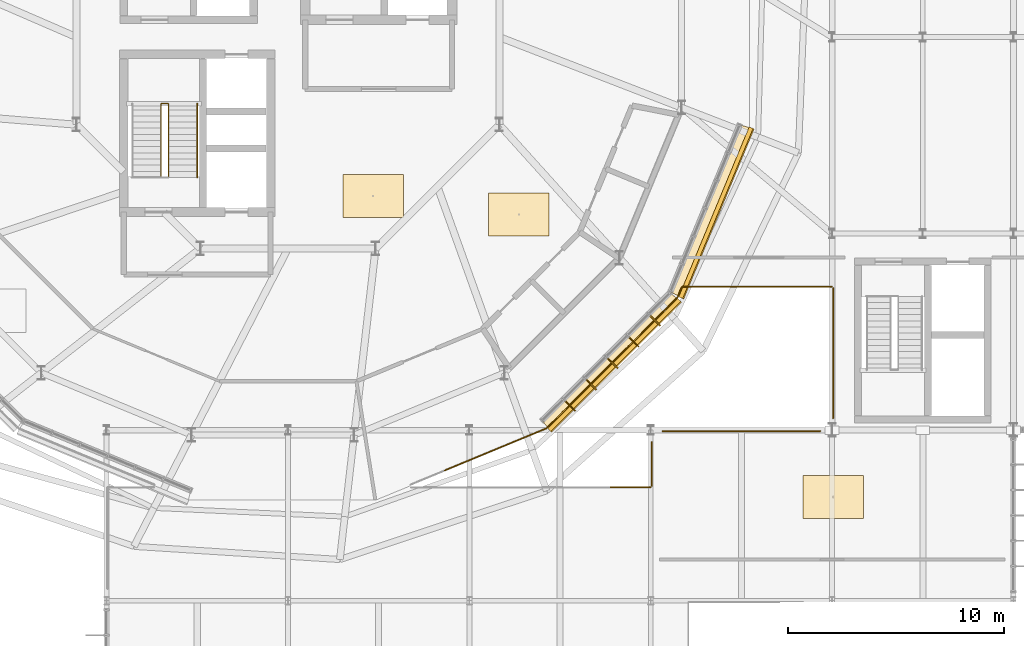
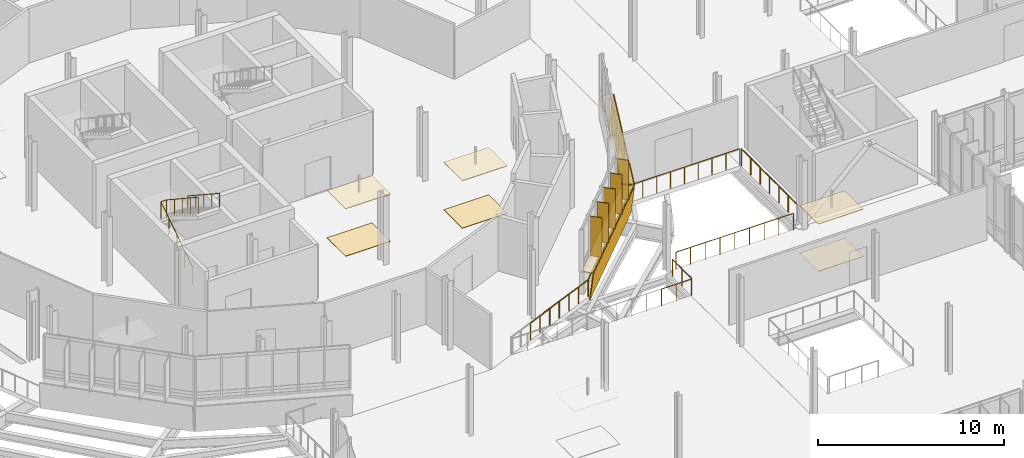
# One storey, part 128 of 139: 23 railings, 10 coverings, 5 shading devices.
"""IFC4 building model written with IfcOpenShell, lengths in metres."""

from ifc_helpers import new_model, si_unit, derived_unit, direction, frame, origin, origin_2d, place, context, subcontext, project, spatial, polyline, rectangle, circle, outline, extrude, material, layer, layer_set, type_object, element, save


model = new_model("IFC4")

# Units and contexts
model_context = context("Model", 3, precision=1e-05, world=origin(), true_north=direction((0.0, 1.0)))
body_context = subcontext(model_context, "Body", "Model", "MODEL_VIEW")
ifc_project = project(units=[si_unit("LENGTHUNIT", "METRE"), si_unit("AREAUNIT", "SQUARE_METRE"), si_unit("VOLUMEUNIT", "CUBIC_METRE"), si_unit("PLANEANGLEUNIT", "RADIAN"), si_unit("MASSUNIT", "GRAM", prefix="KILO"), derived_unit("THERMALTRANSMITTANCEUNIT", [(si_unit("MASSUNIT", "GRAM", prefix="KILO"), 1), (si_unit("TIMEUNIT", "SECOND"), -3), (si_unit("THERMODYNAMICTEMPERATUREUNIT", "KELVIN"), -1)])], contexts=[model_context])

# Site, building, storey
site_placement = place(None, origin())
site = spatial("IfcSite", under=ifc_project, at=site_placement, CompositionType="ELEMENT")
building_placement = place(site_placement, origin())
building = spatial("IfcBuilding", under=site, at=building_placement, Name="Makaiwela Harbour Ferry Terminal", CompositionType="ELEMENT")
storey_placement = place(building_placement, frame((0.0, 0.0, 5.10009765625)))
storey = spatial("IfcBuildingStorey", under=building, at=storey_placement, Name="L01", CompositionType="ELEMENT", Elevation=5.10009765625)

# Coverings
ifc_material_1 = material(Name="White glazed marine ceramic rainscreen tile", Category="masonry")
ifc_layer_1 = layer(ifc_material_1, 0.054931640625)
ifc_layer_set_1 = layer_set([ifc_layer_1], Name="White glazed marine ceramic rainscreen tile")
covering_type_1 = type_object("IfcCoveringType", Name="ENV-CLD-CERAMIC", PredefinedType="CLADDING", material=ifc_layer_set_1)
covering_1_placement = place(storey_placement, frame((49.8271484375, 49.475830078125, -0.260009765625), z_axis=(-0.702880182201, 0.702894418326, 0.10908201573), x_axis=(0.707114027149, 0.707099535149, 1.098092e-06)))
element("IfcCovering", 1, at=covering_1_placement, inside=storey, type_object=covering_type_1, Name="Ceramic Spandrel Facet CLD-0041", PredefinedType="CLADDING", context=body_context, shape_type="SweptSolid", body=[
    extrude(outline(polyline([(0.0, 0.0), (8.523433377176595, -5.551115123125783e-17), (8.523609966091568, -1.7907055194804298), (3.957192527270706e-06, -1.7907243510710693), (0.0, 0.0)])), origin(), (0.0, 0.0, -1.0), 0.054931640625),
])
covering_2_placement = place(storey_placement, frame((0.0, 0.0, 1.47998046875)))
element("IfcCovering", 2, at=covering_2_placement, inside=storey, type_object=covering_type_1, Name="Ceramic Ring Sill Cap CLD-0042", PredefinedType="CLADDING", context=body_context, shape_type="SweptSolid", body=[
    extrude(outline(polyline([(49.96533203125, 49.337646484375), (55.992431640625, 55.36474609375), (55.488525390625, 55.758544921875), (49.571533203125, 49.841552734375), (49.96533203125, 49.337646484375)])), origin(), (0.0, 0.0, 1.0), 0.054931640625),
])
covering_3_placement = place(storey_placement, frame((55.8974609375, 55.5673828125, -0.260009765625), z_axis=(-0.918369753727, 0.380394050746, 0.10907502737), x_axis=(0.382677226978, 0.923882102842, -5.94223e-07)))
element("IfcCovering", 3, at=covering_3_placement, inside=storey, type_object=covering_type_1, Name="Ceramic Spandrel Facet CLD-0043", PredefinedType="CLADDING", context=body_context, shape_type="SweptSolid", body=[
    extrude(outline(polyline([(0.0, 0.0), (8.523531489160245, 0.0), (8.523326980538148, -1.7907186490702989), (2.1048531915379753e-05, -1.7907084586446909), (0.0, 0.0)])), origin(), (0.0, 0.0, -1.0), 0.054931640625),
])
covering_4_placement = place(storey_placement, frame((0.0, 0.0, 1.47998046875)))
element("IfcCovering", 4, at=covering_4_placement, inside=storey, type_object=covering_type_1, Name="Ceramic Ring Sill Cap CLD-0044", PredefinedType="CLADDING", context=body_context, shape_type="SweptSolid", body=[
    extrude(outline(polyline([(56.077880859375, 55.49267578125), (59.339599609375, 63.3671875), (58.723388671875, 63.538330078125), (55.521240234375, 55.807373046875), (56.077880859375, 55.49267578125)])), origin(), (0.0, 0.0, 1.0), 0.054931640625),
])

# Shading devices
ifc_material_2 = material(Name="Marine anodised aluminium 6063-T6", Category="aluminium")
ifc_layer_2 = layer(ifc_material_2, 0.054931640625)
ifc_layer_set_2 = layer_set([ifc_layer_2], Name="Marine anodised aluminium 6063-T6")
shading_device_type = type_object("IfcShadingDeviceType", Name="ENV-FIN-650", PredefinedType="USERDEFINED", material=ifc_layer_set_2)
for number, where, z_axis, x_axis, name in (
    (5, (50.867431640625, 50.51806640625, 1.614990234375), (0.0, 0.0, 1.0), (0.707106781187, -0.707106781187, 0.0), "Vertical Solar Fin SFN-0036"),
    (6, (51.853515625, 51.504150390625, 1.614990234375), (0.0, 0.0, 1.0), (0.707106781187, -0.707106781187, 0.0), "Vertical Solar Fin SFN-0037"),
    (7, (52.839599609375, 52.490234375, 1.614990234375), (0.0, 0.0, 1.0), (0.707106781187, -0.707106781187, 0.0), "Vertical Solar Fin SFN-0038"),
    (8, (53.825927734375, 53.4765625, 1.614990234375), (0.0, 0.0, 1.0), (0.707106781187, -0.707106781187, 0.0), "Vertical Solar Fin SFN-0039"),
    (9, (54.81201171875, 54.462646484375, 1.614990234375), (0.0, 0.0, 1.0), (0.707106781187, -0.707106781187, 0.0), "Vertical Solar Fin SFN-0040"),
):
    element("IfcShadingDevice", number, at=place(storey_placement, frame(where, z_axis=z_axis, x_axis=x_axis)), inside=storey, type_object=shading_device_type, Name=name, ObjectType="SOLAR FIN", PredefinedType="USERDEFINED", context=body_context, shape_type="SweptSolid", body=[
        extrude(rectangle(XDim=0.64990234375, YDim=0.054931640625, at=origin_2d()), origin(), (0.0, 0.0, 1.0), 2.60009765625),
    ])

# Coverings
ifc_material_3 = material(Name="Thermally modified Accoya timber acoustic slat ceiling", Category="wood")
ifc_layer_3 = layer(ifc_material_3, 0.0400390625)
ifc_layer_set_3 = layer_set([ifc_layer_3], Name="Thermally modified Accoya timber acoustic slat ceiling")
covering_type_2 = type_object("IfcCoveringType", Name="INT-COV-CEIL", PredefinedType="CEILING", material=ifc_layer_set_3)
covering_5_placement = place(storey_placement, frame((0.0, 0.0, 3.099853515625)))
element("IfcCovering", 10, at=covering_5_placement, inside=storey, type_object=covering_type_2, Name="Acoustic Timber Ceiling CLG-027", PredefinedType="CEILING", context=body_context, shape_type="SweptSolid", body=[
    extrude(outline(polyline([(47.097900390625, 58.385498046875), (49.89794921875, 58.385498046875), (49.89794921875, 60.385498046875), (47.097900390625, 60.385498046875), (47.097900390625, 58.385498046875)])), origin(), (0.0, 0.0, 1.0), 0.0400390625),
])
covering_6_placement = place(storey_placement, frame((0.0, 0.0, 3.099853515625)))
element("IfcCovering", 11, at=covering_6_placement, inside=storey, type_object=covering_type_2, Name="Acoustic Timber Ceiling CLG-028", PredefinedType="CEILING", context=body_context, shape_type="SweptSolid", body=[
    extrude(outline(polyline([(40.34521484375, 59.247314453125), (43.145263671875, 59.247314453125), (43.145263671875, 61.247314453125), (40.34521484375, 61.247314453125), (40.34521484375, 59.247314453125)])), origin(), (0.0, 0.0, 1.0), 0.0400390625),
])
covering_7_placement = place(storey_placement, frame((0.0, 0.0, 3.099853515625)))
element("IfcCovering", 12, at=covering_7_placement, inside=storey, type_object=covering_type_2, Name="Acoustic Timber Ceiling CLG-035", PredefinedType="CEILING", context=body_context, shape_type="SweptSolid", body=[
    extrude(outline(polyline([(61.64990234375, 45.300048828125), (64.449951171875, 45.300048828125), (64.449951171875, 47.300048828125), (61.64990234375, 47.300048828125), (61.64990234375, 45.300048828125)])), origin(), (0.0, 0.0, 1.0), 0.0400390625),
])
ifc_material_4 = material(Name="Honed coral-aggregate epoxy terrazzo flooring", Category="concrete")
ifc_layer_4 = layer(ifc_material_4, 0.02490234375)
ifc_layer_set_4 = layer_set([ifc_layer_4], Name="Honed coral-aggregate epoxy terrazzo flooring")
covering_type_3 = type_object("IfcCoveringType", Name="INT-COV-FLR", PredefinedType="FLOORING", material=ifc_layer_set_4)
covering_8_placement = place(storey_placement, origin())
element("IfcCovering", 13, at=covering_8_placement, inside=storey, type_object=covering_type_3, Name="Terrazzo Flooring FLG-027", PredefinedType="FLOORING", context=body_context, shape_type="SweptSolid", body=[
    extrude(outline(polyline([(47.097900390625, 58.385498046875), (49.89794921875, 58.385498046875), (49.89794921875, 60.385498046875), (47.097900390625, 60.385498046875), (47.097900390625, 58.385498046875)])), origin(), (0.0, 0.0, 1.0), 0.02490234375),
])
covering_9_placement = place(storey_placement, origin())
element("IfcCovering", 14, at=covering_9_placement, inside=storey, type_object=covering_type_3, Name="Terrazzo Flooring FLG-028", PredefinedType="FLOORING", context=body_context, shape_type="SweptSolid", body=[
    extrude(outline(polyline([(40.34521484375, 59.247314453125), (43.145263671875, 59.247314453125), (43.145263671875, 61.247314453125), (40.34521484375, 61.247314453125), (40.34521484375, 59.247314453125)])), origin(), (0.0, 0.0, 1.0), 0.02490234375),
])
covering_10_placement = place(storey_placement, origin())
element("IfcCovering", 15, at=covering_10_placement, inside=storey, type_object=covering_type_3, Name="Terrazzo Flooring FLG-035", PredefinedType="FLOORING", context=body_context, shape_type="SweptSolid", body=[
    extrude(outline(polyline([(61.64990234375, 45.300048828125), (64.449951171875, 45.300048828125), (64.449951171875, 47.300048828125), (61.64990234375, 47.300048828125), (61.64990234375, 45.300048828125)])), origin(), (0.0, 0.0, 1.0), 0.02490234375),
])

# Railings
ifc_material_5 = material(Name="Marine grade 316L brushed stainless steel", Category="steel")
railing_type_1 = type_object("IfcRailingType", Name="INT-RL-GRD110", PredefinedType="GUARDRAIL", material=ifc_material_5)
railing_1_placement = place(storey_placement, frame((31.926025390625, 61.10009765625, 0.0)))
element("IfcRailing", 16, at=railing_1_placement, inside=storey, type_object=railing_type_1, Name="Stair well guardrail RL-0025", PredefinedType="GUARDRAIL", context=body_context, shape_type="SweptSolid", body=[
    extrude(circle(Radius=0.02392578125, at=origin_2d()), frame((0.0, 0.0, 1.09619140625), z_axis=(0.0, 0.835411317272, 0.549625264133), x_axis=(-1.0, 0.0, 0.0)), (0.0, 0.0, 1.0), 4.09375),
    extrude(circle(Radius=0.02392578125, at=origin_2d()), frame((0.0, 3.419921875, 3.34619140625), z_axis=(1.0, 0.0, 0.0), x_axis=(0.0, 1.0, 0.0)), (0.0, 0.0, 1.0), 0.340087890625),
    extrude(circle(Radius=0.02392578125, at=origin_2d()), frame((0.340087890625, 3.419921875, 3.34619140625), z_axis=(0.0, -0.835411317272, 0.549625264133), x_axis=(1.0, 0.0, 0.0)), (0.0, 0.0, 1.0), 4.09375),
    extrude(circle(Radius=0.02099609375, at=origin_2d()), origin(), (0.0, 0.0, 1.0), 1.072021484375),
    extrude(circle(Radius=0.02099609375, at=origin_2d()), frame((0.0, 0.85498046875, 0.5625)), (0.0, 0.0, 1.0), 1.072021484375),
    extrude(circle(Radius=0.02099609375, at=origin_2d()), frame((0.0, 1.7099609375, 1.125)), (0.0, 0.0, 1.0), 1.072021484375),
    extrude(circle(Radius=0.02099609375, at=origin_2d()), frame((0.0, 2.56494140625, 1.6875)), (0.0, 0.0, 1.0), 1.072021484375),
    extrude(circle(Radius=0.02099609375, at=origin_2d()), frame((0.0, 3.419921875, 2.25)), (0.0, 0.0, 1.0), 1.072021484375),
    extrude(circle(Radius=0.02099609375, at=origin_2d()), frame((0.340087890625, 3.419921875, 2.25)), (0.0, 0.0, 1.0), 1.072021484375),
    extrude(circle(Radius=0.02099609375, at=origin_2d()), frame((0.340087890625, 2.56494140625, 2.8125)), (0.0, 0.0, 1.0), 1.072021484375),
    extrude(circle(Radius=0.02099609375, at=origin_2d()), frame((0.340087890625, 1.7099609375, 3.375)), (0.0, 0.0, 1.0), 1.072021484375),
    extrude(circle(Radius=0.02099609375, at=origin_2d()), frame((0.340087890625, 0.85498046875, 3.9375)), (0.0, 0.0, 1.0), 1.072021484375),
    extrude(circle(Radius=0.02099609375, at=origin_2d()), frame((0.340087890625, 0.0, 4.5)), (0.0, 0.0, 1.0), 1.072021484375),
])
railing_2_placement = place(storey_placement, frame((49.77490234375, 49.484130859375, 0.0)))
element("IfcRailing", 17, at=railing_2_placement, inside=storey, type_object=railing_type_1, Name="Deck edge guardrail RL-0398", PredefinedType="GUARDRAIL", context=body_context, shape_type="SweptSolid", body=[
    extrude(circle(Radius=0.02392578125, at=origin_2d()), frame((0.0, 0.0, 1.09619140625), z_axis=(-0.923936398943, -0.382546115792, 0.0), x_axis=(0.382546115792, -0.923936398943, 0.0)), (0.0, 0.0, 1.0), 1.701416015625),
    extrude(circle(Radius=0.02099609375, at=origin_2d()), origin(), (0.0, 0.0, 1.0), 1.072021484375),
    extrude(circle(Radius=0.02099609375, at=origin_2d()), frame((-0.7861328125, -0.325439453125, 0.0)), (0.0, 0.0, 1.0), 1.072021484375),
    extrude(circle(Radius=0.02099609375, at=origin_2d()), frame((-1.572021484375, -0.65087890625, 0.0)), (0.0, 0.0, 1.0), 1.072021484375),
])
railing_3_placement = place(storey_placement, frame((48.202880859375, 48.833251953125, 0.0)))
element("IfcRailing", 18, at=railing_3_placement, inside=storey, type_object=railing_type_1, Name="Deck edge guardrail RL-0399", PredefinedType="GUARDRAIL", context=body_context, shape_type="SweptSolid", body=[
    extrude(circle(Radius=0.02392578125, at=origin_2d()), frame((0.0, 0.0, 1.09619140625), z_axis=(-0.923864661962, -0.382719331074, 0.0), x_axis=(0.382719331074, -0.923864661962, 0.0)), (0.0, 0.0, 1.0), 1.701416015625),
    extrude(circle(Radius=0.02099609375, at=origin_2d()), origin(), (0.0, 0.0, 1.0), 1.072021484375),
    extrude(circle(Radius=0.02099609375, at=origin_2d()), frame((-0.785888671875, -0.32568359375, 0.0)), (0.0, 0.0, 1.0), 1.072021484375),
    extrude(circle(Radius=0.02099609375, at=origin_2d()), frame((-1.57177734375, -0.651123046875, 0.0)), (0.0, 0.0, 1.0), 1.072021484375),
])
railing_4_placement = place(storey_placement, frame((46.631103515625, 48.18212890625, 0.0)))
element("IfcRailing", 19, at=railing_4_placement, inside=storey, type_object=railing_type_1, Name="Deck edge guardrail RL-0400", PredefinedType="GUARDRAIL", context=body_context, shape_type="SweptSolid", body=[
    extrude(circle(Radius=0.02392578125, at=origin_2d()), frame((0.0, 0.0, 1.09619140625), z_axis=(-0.923843638485, -0.382770076719, 0.0), x_axis=(0.382770076719, -0.923843638485, 0.0)), (0.0, 0.0, 1.0), 1.701171875),
    extrude(circle(Radius=0.02099609375, at=origin_2d()), origin(), (0.0, 0.0, 1.0), 1.072021484375),
    extrude(circle(Radius=0.02099609375, at=origin_2d()), frame((-0.78564453125, -0.32568359375, 0.0)), (0.0, 0.0, 1.0), 1.072021484375),
    extrude(circle(Radius=0.02099609375, at=origin_2d()), frame((-1.571533203125, -0.651123046875, 0.0)), (0.0, 0.0, 1.0), 1.072021484375),
])
railing_5_placement = place(storey_placement, frame((52.745849609375, 46.755615234375, 0.0)))
element("IfcRailing", 20, at=railing_5_placement, inside=storey, type_object=railing_type_1, Name="Deck edge guardrail RL-0407", PredefinedType="GUARDRAIL", context=body_context, shape_type="SweptSolid", body=[
    extrude(circle(Radius=0.02392578125, at=origin_2d()), frame((0.0, 0.0, 1.09619140625), z_axis=(0.999999991261, 0.000132205181, 0.0), x_axis=(-0.000132205181, 0.999999991261, 0.0)), (0.0, 0.0, 1.0), 1.8466796875),
    extrude(circle(Radius=0.02099609375, at=origin_2d()), origin(), (0.0, 0.0, 1.0), 1.072021484375),
    extrude(circle(Radius=0.02099609375, at=origin_2d()), frame((0.92333984375, 0.0, 0.0)), (0.0, 0.0, 1.0), 1.072021484375),
    extrude(circle(Radius=0.02099609375, at=origin_2d()), frame((1.8466796875, 0.000244140625, 0.0)), (0.0, 0.0, 1.0), 1.072021484375),
])
railing_6_placement = place(storey_placement, frame((54.64697265625, 46.81787109375, 0.0)))
element("IfcRailing", 21, at=railing_6_placement, inside=storey, type_object=railing_type_1, Name="Deck edge guardrail RL-0408", PredefinedType="GUARDRAIL", context=body_context, shape_type="SweptSolid", body=[
    extrude(circle(Radius=0.02392578125, at=origin_2d()), frame((0.0, 0.0, 1.09619140625), z_axis=(-0.000720028615, 0.999999740779, 0.0), x_axis=(-0.999999740779, -0.000720028615, 0.0)), (0.0, 0.0, 1.0), 2.034423828125),
    extrude(circle(Radius=0.02099609375, at=origin_2d()), origin(), (0.0, 0.0, 1.0), 1.072021484375),
    extrude(circle(Radius=0.02099609375, at=origin_2d()), frame((-0.000732421875, 1.01708984375, 0.0)), (0.0, 0.0, 1.0), 1.072021484375),
    extrude(circle(Radius=0.02099609375, at=origin_2d()), frame((-0.00146484375, 2.034423828125, 0.0)), (0.0, 0.0, 1.0), 1.072021484375),
])
for number, where, name in (
    (22, (55.147705078125, 49.35498046875, 0.0), "Deck edge guardrail RL-0409"),
    (23, (56.973876953125, 49.35498046875, 0.0), "Deck edge guardrail RL-0410"),
    (24, (58.800048828125, 49.35498046875, 0.0), "Deck edge guardrail RL-0411"),
):
    element("IfcRailing", number, at=place(storey_placement, frame(where)), inside=storey, type_object=railing_type_1, Name=name, PredefinedType="GUARDRAIL", context=body_context, shape_type="SweptSolid", body=[
        extrude(circle(Radius=0.02392578125, at=origin_2d()), frame((0.0, 0.0, 1.09619140625), z_axis=(1.0, 0.0, 0.0), x_axis=(0.0, 1.0, 0.0)), (0.0, 0.0, 1.0), 1.826171875),
        extrude(circle(Radius=0.02099609375, at=origin_2d()), origin(), (0.0, 0.0, 1.0), 1.072021484375),
        extrude(circle(Radius=0.02099609375, at=origin_2d()), frame((0.9130859375, 0.0, 0.0)), (0.0, 0.0, 1.0), 1.072021484375),
        extrude(circle(Radius=0.02099609375, at=origin_2d()), frame((1.826171875, 0.0, 0.0)), (0.0, 0.0, 1.0), 1.072021484375),
    ])
railing_7_placement = place(storey_placement, frame((60.626220703125, 49.35498046875, 0.0)))
element("IfcRailing", 25, at=railing_7_placement, inside=storey, type_object=railing_type_1, Name="Deck edge guardrail RL-0412", PredefinedType="GUARDRAIL", context=body_context, shape_type="SweptSolid", body=[
    extrude(circle(Radius=0.02392578125, at=origin_2d()), frame((0.0, 0.0, 1.09619140625), z_axis=(1.0, 0.0, 0.0), x_axis=(0.0, 1.0, 0.0)), (0.0, 0.0, 1.0), 1.825927734375),
    extrude(circle(Radius=0.02099609375, at=origin_2d()), origin(), (0.0, 0.0, 1.0), 1.072021484375),
    extrude(circle(Radius=0.02099609375, at=origin_2d()), frame((0.9130859375, 0.0, 0.0)), (0.0, 0.0, 1.0), 1.072021484375),
    extrude(circle(Radius=0.02099609375, at=origin_2d()), frame((1.825927734375, 0.0, 0.0)), (0.0, 0.0, 1.0), 1.072021484375),
])
for number, where, name in (
    (26, (63.044921875, 49.94775390625, 0.0), "Deck edge guardrail RL-0413"),
    (27, (63.044921875, 51.95849609375, 0.0), "Deck edge guardrail RL-0414"),
    (28, (63.044921875, 53.96923828125, 0.0), "Deck edge guardrail RL-0415"),
):
    element("IfcRailing", number, at=place(storey_placement, frame(where)), inside=storey, type_object=railing_type_1, Name=name, PredefinedType="GUARDRAIL", context=body_context, shape_type="SweptSolid", body=[
        extrude(circle(Radius=0.02392578125, at=origin_2d()), frame((0.0, 0.0, 1.09619140625), z_axis=(0.0, 1.0, 0.0), x_axis=(-1.0, 0.0, 0.0)), (0.0, 0.0, 1.0), 2.0107421875),
        extrude(circle(Radius=0.02099609375, at=origin_2d()), origin(), (0.0, 0.0, 1.0), 1.072021484375),
        extrude(circle(Radius=0.02099609375, at=origin_2d()), frame((0.0, 1.00537109375, 0.0)), (0.0, 0.0, 1.0), 1.072021484375),
        extrude(circle(Radius=0.02099609375, at=origin_2d()), frame((0.0, 2.0107421875, 0.0)), (0.0, 0.0, 1.0), 1.072021484375),
    ])
railing_8_placement = place(storey_placement, frame((62.97998046875, 56.044921875, 0.0)))
element("IfcRailing", 29, at=railing_8_placement, inside=storey, type_object=railing_type_1, Name="Deck edge guardrail RL-0416", PredefinedType="GUARDRAIL", context=body_context, shape_type="SweptSolid", body=[
    extrude(circle(Radius=0.02392578125, at=origin_2d()), frame((0.0, 0.0, 1.09619140625), z_axis=(-1.0, 0.0, 0.0), x_axis=(0.0, -1.0, 0.0)), (0.0, 0.0, 1.0), 1.722412109375),
    extrude(circle(Radius=0.02099609375, at=origin_2d()), origin(), (0.0, 0.0, 1.0), 1.072021484375),
    extrude(circle(Radius=0.02099609375, at=origin_2d()), frame((-0.861328125, 0.0, 0.0)), (0.0, 0.0, 1.0), 1.072021484375),
    extrude(circle(Radius=0.02099609375, at=origin_2d()), frame((-1.722412109375, 0.0, 0.0)), (0.0, 0.0, 1.0), 1.072021484375),
])
railing_9_placement = place(storey_placement, frame((61.257568359375, 56.044921875, 0.0)))
element("IfcRailing", 30, at=railing_9_placement, inside=storey, type_object=railing_type_1, Name="Deck edge guardrail RL-0417", PredefinedType="GUARDRAIL", context=body_context, shape_type="SweptSolid", body=[
    extrude(circle(Radius=0.02392578125, at=origin_2d()), frame((0.0, 0.0, 1.09619140625), z_axis=(-1.0, 0.0, 0.0), x_axis=(0.0, -1.0, 0.0)), (0.0, 0.0, 1.0), 1.72265625),
    extrude(circle(Radius=0.02099609375, at=origin_2d()), origin(), (0.0, 0.0, 1.0), 1.072021484375),
    extrude(circle(Radius=0.02099609375, at=origin_2d()), frame((-0.861328125, 0.0, 0.0)), (0.0, 0.0, 1.0), 1.072021484375),
    extrude(circle(Radius=0.02099609375, at=origin_2d()), frame((-1.72265625, 0.0, 0.0)), (0.0, 0.0, 1.0), 1.072021484375),
])
railing_10_placement = place(storey_placement, frame((59.534912109375, 56.044921875, 0.0)))
element("IfcRailing", 31, at=railing_10_placement, inside=storey, type_object=railing_type_1, Name="Deck edge guardrail RL-0418", PredefinedType="GUARDRAIL", context=body_context, shape_type="SweptSolid", body=[
    extrude(circle(Radius=0.02392578125, at=origin_2d()), frame((0.0, 0.0, 1.09619140625), z_axis=(-1.0, 0.0, 0.0), x_axis=(0.0, -1.0, 0.0)), (0.0, 0.0, 1.0), 1.722412109375),
    extrude(circle(Radius=0.02099609375, at=origin_2d()), origin(), (0.0, 0.0, 1.0), 1.072021484375),
    extrude(circle(Radius=0.02099609375, at=origin_2d()), frame((-0.861328125, 0.0, 0.0)), (0.0, 0.0, 1.0), 1.072021484375),
    extrude(circle(Radius=0.02099609375, at=origin_2d()), frame((-1.722412109375, 0.0, 0.0)), (0.0, 0.0, 1.0), 1.072021484375),
])
railing_11_placement = place(storey_placement, frame((57.8125, 56.044921875, 0.0)))
element("IfcRailing", 32, at=railing_11_placement, inside=storey, type_object=railing_type_1, Name="Deck edge guardrail RL-0419", PredefinedType="GUARDRAIL", context=body_context, shape_type="SweptSolid", body=[
    extrude(circle(Radius=0.02392578125, at=origin_2d()), frame((0.0, 0.0, 1.09619140625), z_axis=(-1.0, 0.0, 0.0), x_axis=(0.0, -1.0, 0.0)), (0.0, 0.0, 1.0), 1.72265625),
    extrude(circle(Radius=0.02099609375, at=origin_2d()), origin(), (0.0, 0.0, 1.0), 1.072021484375),
    extrude(circle(Radius=0.02099609375, at=origin_2d()), frame((-0.861328125, 0.0, 0.0)), (0.0, 0.0, 1.0), 1.072021484375),
    extrude(circle(Radius=0.02099609375, at=origin_2d()), frame((-1.72265625, 0.0, 0.0)), (0.0, 0.0, 1.0), 1.072021484375),
])
railing_12_placement = place(storey_placement, frame((56.03369140625, 56.0087890625, 0.0)))
element("IfcRailing", 33, at=railing_12_placement, inside=storey, type_object=railing_type_1, Name="Deck edge guardrail RL-0420", PredefinedType="GUARDRAIL", context=body_context, shape_type="SweptSolid", body=[
    extrude(circle(Radius=0.02392578125, at=origin_2d()), frame((0.0, 0.0, 1.09619140625), z_axis=(-0.382849449116, -0.923810748645, 0.0), x_axis=(0.923810748645, -0.382849449116, 0.0)), (0.0, 0.0, 1.0), 0.490966796875),
    extrude(circle(Radius=0.02099609375, at=origin_2d()), origin(), (0.0, 0.0, 1.0), 1.072021484375),
    extrude(circle(Radius=0.02099609375, at=origin_2d()), frame((-0.18798828125, -0.45361328125, 0.0)), (0.0, 0.0, 1.0), 1.072021484375),
])
railing_13_placement = place(storey_placement, frame((55.845703125, 55.55517578125, 0.0)))
element("IfcRailing", 34, at=railing_13_placement, inside=storey, type_object=railing_type_1, Name="Deck edge guardrail RL-0421", PredefinedType="GUARDRAIL", context=body_context, shape_type="SweptSolid", body=[
    extrude(circle(Radius=0.02392578125, at=origin_2d()), frame((0.0, 0.0, 1.09619140625), z_axis=(-0.707163652283, -0.707049905516, 0.0), x_axis=(0.707049905516, -0.707163652283, 0.0)), (0.0, 0.0, 1.0), 2.146240234375),
    extrude(circle(Radius=0.02099609375, at=origin_2d()), origin(), (0.0, 0.0, 1.0), 1.072021484375),
    extrude(circle(Radius=0.02099609375, at=origin_2d()), frame((-0.7587890625, -0.7587890625, 0.0)), (0.0, 0.0, 1.0), 1.072021484375),
    extrude(circle(Radius=0.02099609375, at=origin_2d()), frame((-1.517822265625, -1.517578125, 0.0)), (0.0, 0.0, 1.0), 1.072021484375),
])
railing_14_placement = place(storey_placement, frame((54.327880859375, 54.03759765625, 0.0)))
element("IfcRailing", 35, at=railing_14_placement, inside=storey, type_object=railing_type_1, Name="Deck edge guardrail RL-0422", PredefinedType="GUARDRAIL", context=body_context, shape_type="SweptSolid", body=[
    extrude(circle(Radius=0.02392578125, at=origin_2d()), frame((0.0, 0.0, 1.09619140625), z_axis=(-0.707049905516, -0.707163652283, 0.0), x_axis=(0.707163652283, -0.707049905516, 0.0)), (0.0, 0.0, 1.0), 2.146240234375),
    extrude(circle(Radius=0.02099609375, at=origin_2d()), origin(), (0.0, 0.0, 1.0), 1.072021484375),
    extrude(circle(Radius=0.02099609375, at=origin_2d()), frame((-0.7587890625, -0.7587890625, 0.0)), (0.0, 0.0, 1.0), 1.072021484375),
    extrude(circle(Radius=0.02099609375, at=origin_2d()), frame((-1.517578125, -1.517822265625, 0.0)), (0.0, 0.0, 1.0), 1.072021484375),
])
railing_15_placement = place(storey_placement, frame((52.810302734375, 52.519775390625, 0.0)))
element("IfcRailing", 36, at=railing_15_placement, inside=storey, type_object=railing_type_1, Name="Deck edge guardrail RL-0423", PredefinedType="GUARDRAIL", context=body_context, shape_type="SweptSolid", body=[
    extrude(circle(Radius=0.02392578125, at=origin_2d()), frame((0.0, 0.0, 1.09619140625), z_axis=(-0.707106781187, -0.707106781187, 0.0), x_axis=(0.707106781187, -0.707106781187, 0.0)), (0.0, 0.0, 1.0), 2.146484375),
    extrude(circle(Radius=0.02099609375, at=origin_2d()), origin(), (0.0, 0.0, 1.0), 1.072021484375),
    extrude(circle(Radius=0.02099609375, at=origin_2d()), frame((-0.7587890625, -0.7587890625, 0.0)), (0.0, 0.0, 1.0), 1.072021484375),
    extrude(circle(Radius=0.02099609375, at=origin_2d()), frame((-1.517822265625, -1.517822265625, 0.0)), (0.0, 0.0, 1.0), 1.072021484375),
])
railing_16_placement = place(storey_placement, frame((51.29248046875, 51.001953125, 0.0)))
element("IfcRailing", 37, at=railing_16_placement, inside=storey, type_object=railing_type_1, Name="Deck edge guardrail RL-0424", PredefinedType="GUARDRAIL", context=body_context, shape_type="SweptSolid", body=[
    extrude(circle(Radius=0.02392578125, at=origin_2d()), frame((0.0, 0.0, 1.09619140625), z_axis=(-0.707049905516, -0.707163652283, 0.0), x_axis=(0.707163652283, -0.707049905516, 0.0)), (0.0, 0.0, 1.0), 2.146240234375),
    extrude(circle(Radius=0.02099609375, at=origin_2d()), origin(), (0.0, 0.0, 1.0), 1.072021484375),
    extrude(circle(Radius=0.02099609375, at=origin_2d()), frame((-0.7587890625, -0.7587890625, 0.0)), (0.0, 0.0, 1.0), 1.072021484375),
    extrude(circle(Radius=0.02099609375, at=origin_2d()), frame((-1.517578125, -1.517822265625, 0.0)), (0.0, 0.0, 1.0), 1.072021484375),
])
railing_type_2 = type_object("IfcRailingType", Name="INT-RL-HND090", PredefinedType="HANDRAIL", material=ifc_material_5)
railing_17_placement = place(storey_placement, frame((33.592041015625, 64.52001953125, 2.25)))
element("IfcRailing", 38, at=railing_17_placement, inside=storey, type_object=railing_type_2, Name="Stair upper handrail RL-0028", PredefinedType="HANDRAIL", context=body_context, shape_type="SweptSolid", body=[
    extrude(circle(Radius=0.02392578125, at=origin_2d()), frame((0.0, 0.0, 0.89111328125), z_axis=(0.0, -0.835411317272, 0.549625264133), x_axis=(1.0, 0.0, 0.0)), (0.0, 0.0, 1.0), 4.09375),
    extrude(circle(Radius=0.02099609375, at=origin_2d()), origin(), (0.0, 0.0, 1.0), 0.866943359375),
    extrude(circle(Radius=0.02099609375, at=origin_2d()), frame((0.0, -0.85498046875, 0.5625)), (0.0, 0.0, 1.0), 0.866943359375),
    extrude(circle(Radius=0.02099609375, at=origin_2d()), frame((0.0, -1.7099609375, 1.125)), (0.0, 0.0, 1.0), 0.866943359375),
    extrude(circle(Radius=0.02099609375, at=origin_2d()), frame((0.0, -2.56494140625, 1.6875)), (0.0, 0.0, 1.0), 0.866943359375),
    extrude(circle(Radius=0.02099609375, at=origin_2d()), frame((0.0, -3.419921875, 2.25)), (0.0, 0.0, 1.0), 0.866943359375),
])

save(model, "model.ifc")
